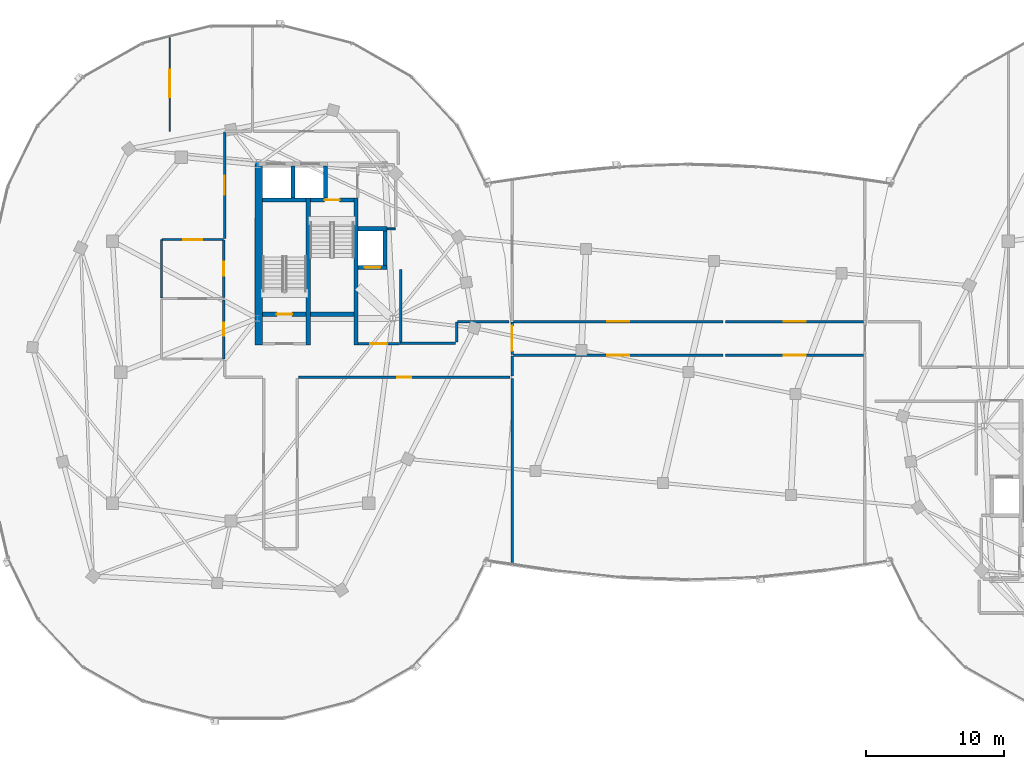
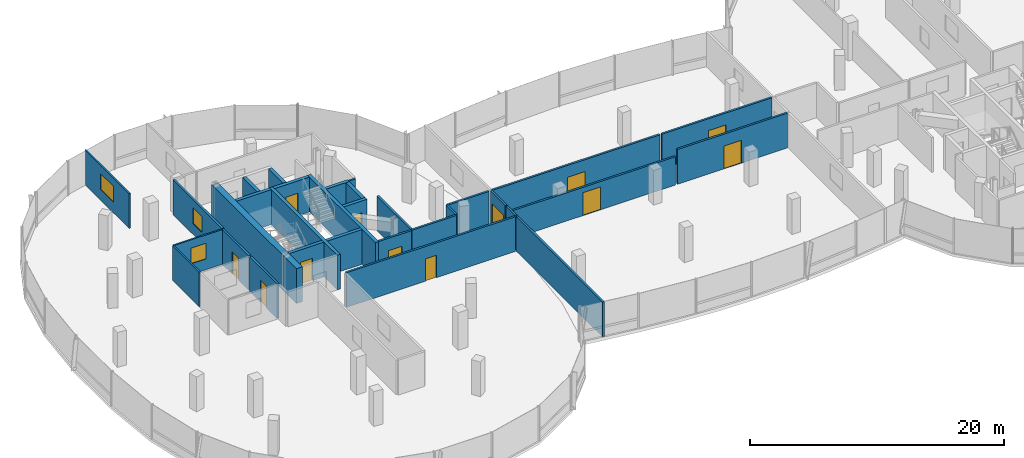
# One storey, part 14 of 25: 32 walls, 12 doors, 3 windows, 15 openings.
"""IFC4 building model written with IfcOpenShell, lengths in metres."""

from ifc_helpers import new_model, si_unit, direction, frame, frame_2d, origin, place, context, subcontext, project, spatial, rectangle, extrude, material, layer, layer_set, type_object, element, fill, save


model = new_model("IFC4")

# Units and contexts
model_context = context("Model", 3, precision=1e-05, world=origin(), true_north=direction((0.0, 1.0)))
body_context = subcontext(model_context, "Body", "Model", "MODEL_VIEW")
ifc_project = project(units=[si_unit("LENGTHUNIT", "METRE"), si_unit("AREAUNIT", "SQUARE_METRE"), si_unit("VOLUMEUNIT", "CUBIC_METRE"), si_unit("PLANEANGLEUNIT", "RADIAN"), si_unit("MASSUNIT", "GRAM", prefix="KILO"), si_unit("THERMODYNAMICTEMPERATUREUNIT", "KELVIN"), si_unit("POWERUNIT", "WATT")], contexts=[model_context])

# Site, building, storey
site_placement = place(None, origin())
site = spatial("IfcSite", under=ifc_project, at=site_placement, CompositionType="ELEMENT")
building_placement = place(site_placement, origin())
building = spatial("IfcBuilding", under=site, at=building_placement, Name="Cundina Bronze Exchange", CompositionType="ELEMENT")
storey_placement = place(building_placement, frame((0.0, 0.0, 272.0)))
storey = spatial("IfcBuildingStorey", under=building, at=storey_placement, Name="L72", CompositionType="ELEMENT", Elevation=272.0)

# Wall
ifc_material_1 = material(Name="Gypsum Fireboard Partition EI120")
ifc_layer_1 = layer(ifc_material_1, 0.179931640625, Name="Gypsum Fireboard Partition EI120")
ifc_layer_set_1 = layer_set([ifc_layer_1], Name="Gypsum Fireboard Partition EI120")
wall_type_1 = type_object("IfcWallType", Name="WL-COR-180", PredefinedType="PARTITIONING", material=ifc_layer_set_1)
wall_1_placement = place(storey_placement, frame((-20.889892578125, 2.14990234375, 0.0), z_axis=(0.0, 0.0, 1.0), x_axis=(0.0, 1.0, 0.0)))
element("IfcWall", 1, at=wall_1_placement, inside=storey, type_object=wall_type_1, Name="L72 W Firefighting Lobby Side Wall", PredefinedType="PARTITIONING", context=body_context, shape_type="SweptSolid", body=[
    extrude(rectangle(XDim=5.300048828125, YDim=0.179931640625, at=frame_2d((2.64990234375, 0.0))), origin(), (0.0, 0.0, 1.0), 3.340087890625),
])

# Wall, opening, door
wall_2_placement = place(storey_placement, frame((-23.97998046875, 2.06005859375, 0.0), z_axis=(0.0, 0.0, 1.0), x_axis=(1.0, 0.0, 0.0)))
wall_2 = element("IfcWall", 2, at=wall_2_placement, inside=storey, type_object=wall_type_1, Name="L72 W Firefighting Lobby Exit Wall", PredefinedType="PARTITIONING", context=body_context, shape_type="SweptSolid", body=[
    extrude(rectangle(XDim=3.0, YDim=0.179931640625, at=frame_2d((1.5, 0.0))), origin(), (0.0, 0.0, 1.0), 3.340087890625),
])
opening_1_placement = place(wall_2_placement, frame((0.89990234375, 0.0, 0.0)))
opening_1 = element("IfcOpeningElement", 3, at=opening_1_placement, cuts=wall_2, Name="Opening DF-01", PredefinedType="OPENING", context=body_context, shape_type="SweptSolid", body=[
    extrude(rectangle(XDim=1.199951171875, YDim=2.14990234375, at=frame_2d((0.60009765625, 1.074951171875))), frame((0.0, 0.099853515625, 0.0), z_axis=(0.0, -1.0, 0.0), x_axis=(1.0, 0.0, 0.0)), (0.0, 0.0, 1.0), 0.199951171875),
])
ifc_material_2 = material(Name="Steel ASTM A36 Painted", Category="steel")
door_type_1 = type_object("IfcDoorType", Name="DR-FFL-1200", OperationType="NOTDEFINED", PredefinedType="DOOR", material=ifc_material_2)
door_1_placement = place(opening_1_placement, origin())
door_1 = element("IfcDoor", 4, at=door_1_placement, inside=storey, type_object=door_type_1, Name="L72 W Firefighting Lobby Door", OperationType="SINGLE_SWING_RIGHT", OverallHeight=2.14990234375, OverallWidth=1.199951171875, PredefinedType="DOOR", context=body_context, shape_type="SweptSolid", body=[
    extrude(rectangle(XDim=1.199951171875, YDim=2.14990234375, at=frame_2d((0.60009765625, 1.074951171875))), frame((0.0, 0.02490234375, 0.0), z_axis=(0.0, -1.0, 0.0), x_axis=(1.0, 0.0, 0.0)), (0.0, 0.0, 1.0), 0.050048828125),
])
fill(opening_1, door_1)

wall_3_placement = place(storey_placement, frame((-33.719970703125, 0.969970703125, 0.0), z_axis=(0.0, 0.0, 1.0), x_axis=(0.0, 1.0, 0.0)))
wall_3 = element("IfcWall", 5, at=wall_3_placement, inside=storey, type_object=wall_type_1, Name="L72 Interior Partition 010", PredefinedType="PARTITIONING", context=body_context, shape_type="SweptSolid", body=[
    extrude(rectangle(XDim=4.260009765625, YDim=0.179931640625, at=frame_2d((2.1298828125, 0.0))), origin(), (0.0, 0.0, 1.0), 3.340087890625),
])
opening_2_placement = place(wall_3_placement, frame((1.655029296875, 0.0, 0.0)))
opening_2 = element("IfcOpeningElement", 6, at=opening_2_placement, cuts=wall_3, Name="Opening DW-01", PredefinedType="OPENING", context=body_context, shape_type="SweptSolid", body=[
    extrude(rectangle(XDim=0.949951171875, YDim=2.10009765625, at=frame_2d((0.47509765625, 1.050048828125))), frame((0.0, 0.099853515625, 0.0), z_axis=(0.0, -1.0, 0.0), x_axis=(1.0, 0.0, 0.0)), (0.0, 0.0, 1.0), 0.199951171875),
])
ifc_material_3 = material(Name="Solid Andean Oak Timber Grade A", Category="wood")
door_type_2 = type_object("IfcDoorType", Name="DR-WC-950", OperationType="NOTDEFINED", PredefinedType="DOOR", material=ifc_material_3)
door_2_placement = place(opening_2_placement, origin())
door_2 = element("IfcDoor", 7, at=door_2_placement, inside=storey, type_object=door_type_2, Name="L72 Interior Door 010", OperationType="SINGLE_SWING_LEFT", OverallHeight=2.10009765625, OverallWidth=0.949951171875, PredefinedType="DOOR", context=body_context, shape_type="SweptSolid", body=[
    extrude(rectangle(XDim=0.949951171875, YDim=2.10009765625, at=frame_2d((0.47509765625, 1.050048828125))), frame((0.0, 0.02490234375, 0.0), z_axis=(0.0, -1.0, 0.0), x_axis=(1.0, 0.0, 0.0)), (0.0, 0.0, 1.0), 0.050048828125),
])
fill(opening_2, door_2)

wall_4_placement = place(storey_placement, frame((-33.719970703125, 5.429931640625, 0.0), z_axis=(0.0, 0.0, 1.0), x_axis=(0.0, 1.0, 0.0)))
wall_4 = element("IfcWall", 8, at=wall_4_placement, inside=storey, type_object=wall_type_1, Name="L72 Interior Partition 011", PredefinedType="PARTITIONING", context=body_context, shape_type="SweptSolid", body=[
    extrude(rectangle(XDim=4.16015625, YDim=0.179931640625, at=frame_2d((2.080078125, 0.0))), origin(), (0.0, 0.0, 1.0), 3.340087890625),
])
opening_3_placement = place(wall_4_placement, frame((1.580078125, 0.0, 0.0)))
opening_3 = element("IfcOpeningElement", 9, at=opening_3_placement, cuts=wall_4, Name="Opening DO-01", PredefinedType="OPENING", context=body_context, shape_type="SweptSolid", body=[
    extrude(rectangle(XDim=1.0, YDim=2.14990234375, at=frame_2d((0.5, 1.074951171875))), frame((0.0, 0.099853515625, 0.0), z_axis=(0.0, -1.0, 0.0), x_axis=(1.0, 0.0, 0.0)), (0.0, 0.0, 1.0), 0.199951171875),
])
door_type_3 = type_object("IfcDoorType", Name="DR-OFF-1000", OperationType="NOTDEFINED", PredefinedType="DOOR", material=ifc_material_3)
door_3_placement = place(opening_3_placement, origin())
door_3 = element("IfcDoor", 10, at=door_3_placement, inside=storey, type_object=door_type_3, Name="L72 Interior Door 011", OperationType="SINGLE_SWING_LEFT", OverallHeight=2.14990234375, OverallWidth=1.0, PredefinedType="DOOR", context=body_context, shape_type="SweptSolid", body=[
    extrude(rectangle(XDim=1.0, YDim=2.14990234375, at=frame_2d((0.5, 1.074951171875))), frame((0.0, 0.02490234375, 0.0), z_axis=(0.0, -1.0, 0.0), x_axis=(1.0, 0.0, 0.0)), (0.0, 0.0, 1.0), 0.050048828125),
])
fill(opening_3, door_3)

wall_5_placement = place(storey_placement, frame((-28.300048828125, -0.3701171875, 0.0), z_axis=(0.0, 0.0, 1.0), x_axis=(1.0, 0.0, 0.0)))
wall_5 = element("IfcWall", 11, at=wall_5_placement, inside=storey, type_object=wall_type_1, Name="L72 Interior Partition 014", PredefinedType="PARTITIONING", context=body_context, shape_type="SweptSolid", body=[
    extrude(rectangle(XDim=15.34912109375, YDim=0.179931640625, at=frame_2d((7.674560546875, 0.0))), origin(), (0.0, 0.0, 1.0), 3.340087890625),
])
opening_4_placement = place(wall_5_placement, frame((7.174560546875, 0.0, 0.0)))
opening_4 = element("IfcOpeningElement", 12, at=opening_4_placement, cuts=wall_5, Name="Opening DO-01", PredefinedType="OPENING", context=body_context, shape_type="SweptSolid", body=[
    extrude(rectangle(XDim=1.0, YDim=2.14990234375, at=frame_2d((0.5, 1.074951171875))), frame((0.0, 0.099853515625, 0.0), z_axis=(0.0, -1.0, 0.0), x_axis=(1.0, 0.0, 0.0)), (0.0, 0.0, 1.0), 0.199951171875),
])
door_4_placement = place(opening_4_placement, origin())
door_4 = element("IfcDoor", 13, at=door_4_placement, inside=storey, type_object=door_type_3, Name="L72 Interior Door 014", OperationType="SINGLE_SWING_LEFT", OverallHeight=2.14990234375, OverallWidth=1.0, PredefinedType="DOOR", context=body_context, shape_type="SweptSolid", body=[
    extrude(rectangle(XDim=1.0, YDim=2.14990234375, at=frame_2d((0.5, 1.074951171875))), frame((0.0, 0.02490234375, 0.0), z_axis=(0.0, -1.0, 0.0), x_axis=(1.0, 0.0, 0.0)), (0.0, 0.0, 1.0), 0.050048828125),
])
fill(opening_4, door_4)

# Wall, opening, window
wall_6_placement = place(storey_placement, frame((-33.669921875, 17.428466796875, 0.0), z_axis=(0.0, 0.0, 1.0), x_axis=(0.0, -1.0, 0.0)))
wall_6 = element("IfcWall", 14, at=wall_6_placement, inside=storey, type_object=wall_type_1, Name="L72 Interior Partition 017", PredefinedType="PARTITIONING", context=body_context, shape_type="SweptSolid", body=[
    extrude(rectangle(XDim=7.72705078125, YDim=0.179931640625, at=frame_2d((3.863525390625, 0.0))), origin(), (0.0, 0.0, 1.0), 3.340087890625),
])
opening_5_placement = place(wall_6_placement, frame((3.1640625, 0.0, 1.050048828125)))
opening_5 = element("IfcOpeningElement", 15, at=opening_5_placement, cuts=wall_6, Name="Opening WI-02", PredefinedType="OPENING", context=body_context, shape_type="SweptSolid", body=[
    extrude(rectangle(XDim=1.39990234375, YDim=1.5, at=frame_2d((0.699951171875, 0.75))), frame((0.0, 0.099853515625, 0.0), z_axis=(0.0, -1.0, 0.0), x_axis=(1.0, 0.0, 0.0)), (0.0, 0.0, 1.0), 0.199951171875),
])
ifc_material_4 = material(Name="Clear Low-E Insulating Glass 26mm", Category="glass")
window_type_1 = type_object("IfcWindowType", Name="WN-INT-1400", PartitioningType="SINGLE_PANEL", PredefinedType="WINDOW", material=ifc_material_4)
window_1_placement = place(opening_5_placement, origin())
window_1 = element("IfcWindow", 16, at=window_1_placement, inside=storey, type_object=window_type_1, Name="L72 Interior Acoustic Vision Window 017", OverallHeight=1.5, OverallWidth=1.39990234375, PartitioningType="SINGLE_PANEL", PredefinedType="WINDOW", context=body_context, shape_type="SweptSolid", body=[
    extrude(rectangle(XDim=1.39990234375, YDim=1.5, at=frame_2d((0.699951171875, 0.75))), frame((0.0, 0.030029296875, 0.0), z_axis=(0.0, -1.0, 0.0), x_axis=(1.0, 0.0, 0.0)), (0.0, 0.0, 1.0), 0.06005859375),
])
fill(opening_5, window_1)

# Walls
wall_7_placement = place(storey_placement, frame((-16.89990234375, 2.10009765625, 0.0), z_axis=(0.0, 0.0, 1.0), x_axis=(-1.0, 0.0, 0.0)))
element("IfcWall", 17, at=wall_7_placement, inside=storey, type_object=wall_type_1, Name="L72 Interior Partition 023", PredefinedType="PARTITIONING", context=body_context, shape_type="SweptSolid", body=[
    extrude(rectangle(XDim=4.02001953125, YDim=0.179931640625, at=frame_2d((2.010009765625, 0.0))), origin(), (0.0, 0.0, 1.0), 3.340087890625),
])
wall_8_placement = place(storey_placement, frame((-13.025634765625, 3.669921875, 0.0), z_axis=(0.0, 0.0, 1.0), x_axis=(-1.0, 0.0, 0.0)))
element("IfcWall", 18, at=wall_8_placement, inside=storey, type_object=wall_type_1, Name="L72 Interior Partition 024", PredefinedType="PARTITIONING", context=body_context, shape_type="SweptSolid", body=[
    extrude(rectangle(XDim=3.7529296875, YDim=0.179931640625, at=frame_2d((1.87646484375, 0.0))), origin(), (0.0, 0.0, 1.0), 3.340087890625),
])
wall_9_placement = place(storey_placement, frame((-16.820068359375, 3.62841796875, 0.0), z_axis=(0.0, 0.0, 1.0), x_axis=(0.0, -1.0, 0.0)))
element("IfcWall", 19, at=wall_9_placement, inside=storey, type_object=wall_type_1, Name="L72 Interior Partition 026", PredefinedType="PARTITIONING", context=body_context, shape_type="SweptSolid", body=[
    extrude(rectangle(XDim=1.448486328125, YDim=0.179931640625, at=frame_2d((0.72412109375, 0.0))), origin(), (0.0, 0.0, 1.0), 3.340087890625),
])

# Wall, opening, door
wall_10_placement = place(storey_placement, frame((-12.6884765625, 1.22998046875, 0.0), z_axis=(0.0, 0.0, 1.0), x_axis=(1.0, 0.0, 0.0)))
wall_10 = element("IfcWall", 20, at=wall_10_placement, inside=storey, type_object=wall_type_1, Name="L72 Interior Partition 052", PredefinedType="PARTITIONING", context=body_context, shape_type="SweptSolid", body=[
    extrude(rectangle(XDim=15.193359375, YDim=0.179931640625, at=frame_2d((7.5966796875, 0.0))), origin(), (0.0, 0.0, 1.0), 2.712890625),
])
opening_6_placement = place(wall_10_placement, frame((6.796875, 0.0, 0.0)))
opening_6 = element("IfcOpeningElement", 21, at=opening_6_placement, cuts=wall_10, Name="Opening DO-02", PredefinedType="OPENING", context=body_context, shape_type="SweptSolid", body=[
    extrude(rectangle(XDim=1.60009765625, YDim=2.199951171875, at=frame_2d((0.800048828125, 1.10009765625))), frame((0.0, 0.099853515625, 0.0), z_axis=(0.0, -1.0, 0.0), x_axis=(1.0, 0.0, 0.0)), (0.0, 0.0, 1.0), 0.199951171875),
])
door_type_4 = type_object("IfcDoorType", Name="DR-TRD-1600", OperationType="NOTDEFINED", PredefinedType="DOOR", material=ifc_material_3)
door_5_placement = place(opening_6_placement, origin())
door_5 = element("IfcDoor", 22, at=door_5_placement, inside=storey, type_object=door_type_4, Name="L72 Interior Door 052", OperationType="SINGLE_SWING_RIGHT", OverallHeight=2.199951171875, OverallWidth=1.60009765625, PredefinedType="DOOR", context=body_context, shape_type="SweptSolid", body=[
    extrude(rectangle(XDim=1.60009765625, YDim=2.199951171875, at=frame_2d((0.800048828125, 1.10009765625))), frame((0.0, 0.02490234375, 0.0), z_axis=(0.0, -1.0, 0.0), x_axis=(1.0, 0.0, 0.0)), (0.0, 0.0, 1.0), 0.050048828125),
])
fill(opening_6, door_5)

wall_11_placement = place(storey_placement, frame((2.695068359375, 1.22998046875, 0.0), z_axis=(0.0, 0.0, 1.0), x_axis=(1.0, 0.0, 0.0)))
wall_11 = element("IfcWall", 23, at=wall_11_placement, inside=storey, type_object=wall_type_1, Name="L72 Interior Partition 053", PredefinedType="PARTITIONING", context=body_context, shape_type="SweptSolid", body=[
    extrude(rectangle(XDim=9.993408203125, YDim=0.179931640625, at=frame_2d((4.99658203125, 0.0))), origin(), (0.0, 0.0, 1.0), 3.340087890625),
])
opening_7_placement = place(wall_11_placement, frame((4.19677734375, 0.0, 0.0)))
opening_7 = element("IfcOpeningElement", 24, at=opening_7_placement, cuts=wall_11, Name="Opening DO-02", PredefinedType="OPENING", context=body_context, shape_type="SweptSolid", body=[
    extrude(rectangle(XDim=1.60009765625, YDim=2.199951171875, at=frame_2d((0.800048828125, 1.10009765625))), frame((0.0, 0.099853515625, 0.0), z_axis=(0.0, -1.0, 0.0), x_axis=(1.0, 0.0, 0.0)), (0.0, 0.0, 1.0), 0.199951171875),
])
door_6_placement = place(opening_7_placement, origin())
door_6 = element("IfcDoor", 25, at=door_6_placement, inside=storey, type_object=door_type_4, Name="L72 Interior Door 053", OperationType="SINGLE_SWING_RIGHT", OverallHeight=2.199951171875, OverallWidth=1.60009765625, PredefinedType="DOOR", context=body_context, shape_type="SweptSolid", body=[
    extrude(rectangle(XDim=1.60009765625, YDim=2.199951171875, at=frame_2d((0.800048828125, 1.10009765625))), frame((0.0, 0.02490234375, 0.0), z_axis=(0.0, -1.0, 0.0), x_axis=(1.0, 0.0, 0.0)), (0.0, 0.0, 1.0), 0.050048828125),
])
fill(opening_7, door_6)

wall_12_placement = place(storey_placement, frame((12.6884765625, 3.669921875, 0.0), z_axis=(0.0, 0.0, 1.0), x_axis=(-1.0, 0.0, 0.0)))
wall_12 = element("IfcWall", 26, at=wall_12_placement, inside=storey, type_object=wall_type_1, Name="L72 Interior Partition 054", PredefinedType="PARTITIONING", context=body_context, shape_type="SweptSolid", body=[
    extrude(rectangle(XDim=9.993408203125, YDim=0.179931640625, at=frame_2d((4.99658203125, 0.0))), origin(), (0.0, 0.0, 1.0), 3.340087890625),
])
opening_8_placement = place(wall_12_placement, frame((4.19677734375, 0.0, 0.0)))
opening_8 = element("IfcOpeningElement", 27, at=opening_8_placement, cuts=wall_12, Name="Opening DO-02", PredefinedType="OPENING", context=body_context, shape_type="SweptSolid", body=[
    extrude(rectangle(XDim=1.60009765625, YDim=2.199951171875, at=frame_2d((0.800048828125, 1.10009765625))), frame((0.0, 0.099853515625, 0.0), z_axis=(0.0, -1.0, 0.0), x_axis=(1.0, 0.0, 0.0)), (0.0, 0.0, 1.0), 0.199951171875),
])
door_7_placement = place(opening_8_placement, origin())
door_7 = element("IfcDoor", 28, at=door_7_placement, inside=storey, type_object=door_type_4, Name="L72 Interior Door 054", OperationType="SINGLE_SWING_LEFT", OverallHeight=2.199951171875, OverallWidth=1.60009765625, PredefinedType="DOOR", context=body_context, shape_type="SweptSolid", body=[
    extrude(rectangle(XDim=1.60009765625, YDim=2.199951171875, at=frame_2d((0.800048828125, 1.10009765625))), frame((0.0, 0.02490234375, 0.0), z_axis=(0.0, -1.0, 0.0), x_axis=(1.0, 0.0, 0.0)), (0.0, 0.0, 1.0), 0.050048828125),
])
fill(opening_8, door_7)

wall_13_placement = place(storey_placement, frame((2.5048828125, 3.669921875, 0.0), z_axis=(0.0, 0.0, 1.0), x_axis=(-1.0, 0.0, 0.0)))
wall_13 = element("IfcWall", 29, at=wall_13_placement, inside=storey, type_object=wall_type_1, Name="L72 Interior Partition 055", PredefinedType="PARTITIONING", context=body_context, shape_type="SweptSolid", body=[
    extrude(rectangle(XDim=15.193359375, YDim=0.179931640625, at=frame_2d((7.5966796875, 0.0))), origin(), (0.0, 0.0, 1.0), 3.340087890625),
])
opening_9_placement = place(wall_13_placement, frame((6.796875, 0.0, 0.0)))
opening_9 = element("IfcOpeningElement", 30, at=opening_9_placement, cuts=wall_13, Name="Opening DO-02", PredefinedType="OPENING", context=body_context, shape_type="SweptSolid", body=[
    extrude(rectangle(XDim=1.60009765625, YDim=2.199951171875, at=frame_2d((0.800048828125, 1.10009765625))), frame((0.0, 0.099853515625, 0.0), z_axis=(0.0, -1.0, 0.0), x_axis=(1.0, 0.0, 0.0)), (0.0, 0.0, 1.0), 0.199951171875),
])
door_8_placement = place(opening_9_placement, origin())
door_8 = element("IfcDoor", 31, at=door_8_placement, inside=storey, type_object=door_type_4, Name="L72 Interior Door 055", OperationType="SINGLE_SWING_LEFT", OverallHeight=2.199951171875, OverallWidth=1.60009765625, PredefinedType="DOOR", context=body_context, shape_type="SweptSolid", body=[
    extrude(rectangle(XDim=1.60009765625, YDim=2.199951171875, at=frame_2d((0.800048828125, 1.10009765625))), frame((0.0, 0.02490234375, 0.0), z_axis=(0.0, -1.0, 0.0), x_axis=(1.0, 0.0, 0.0)), (0.0, 0.0, 1.0), 0.050048828125),
])
fill(opening_9, door_8)

# Walls
wall_14_placement = place(storey_placement, frame((-12.800048828125, -14.043701171875, 0.0), z_axis=(0.0, 0.0, 1.0), x_axis=(0.0, 1.0, 0.0)))
element("IfcWall", 32, at=wall_14_placement, inside=storey, type_object=wall_type_1, Name="L72 Interior Partition 056", PredefinedType="PARTITIONING", context=body_context, shape_type="SweptSolid", body=[
    extrude(rectangle(XDim=13.588623046875, YDim=0.179931640625, at=frame_2d((6.79443359375, 0.0))), origin(), (0.0, 0.0, 1.0), 3.340087890625),
])
wall_15_placement = place(storey_placement, frame((-12.800048828125, -0.284912109375, 0.0), z_axis=(0.0, 0.0, 1.0), x_axis=(0.0, 1.0, 0.0)))
element("IfcWall", 33, at=wall_15_placement, inside=storey, type_object=wall_type_1, Name="L72 Interior Partition 057", PredefinedType="PARTITIONING", context=body_context, shape_type="SweptSolid", body=[
    extrude(rectangle(XDim=1.44482421875, YDim=0.179931640625, at=frame_2d((0.722412109375, 0.0))), origin(), (0.0, 0.0, 1.0), 3.340087890625),
])

# Wall, opening, door
wall_16_placement = place(storey_placement, frame((-12.800048828125, 1.280029296875, 0.0), z_axis=(0.0, 0.0, 1.0), x_axis=(0.0, 1.0, 0.0)))
wall_16 = element("IfcWall", 34, at=wall_16_placement, inside=storey, type_object=wall_type_1, Name="L72 Interior Partition 059", PredefinedType="PARTITIONING", context=body_context, shape_type="SweptSolid", body=[
    extrude(rectangle(XDim=2.340087890625, YDim=0.179931640625, at=frame_2d((1.169921875, 0.0))), origin(), (0.0, 0.0, 1.0), 3.340087890625),
])
opening_10_placement = place(wall_16_placement, frame((0.27001953125, 0.0, 0.0)))
opening_10 = element("IfcOpeningElement", 35, at=opening_10_placement, cuts=wall_16, Name="Opening DB-01", PredefinedType="OPENING", context=body_context, shape_type="SweptSolid", body=[
    extrude(rectangle(XDim=1.800048828125, YDim=2.25, at=frame_2d((0.89990234375, 1.125))), frame((0.0, 0.099853515625, 0.0), z_axis=(0.0, -1.0, 0.0), x_axis=(1.0, 0.0, 0.0)), (0.0, 0.0, 1.0), 0.199951171875),
])
door_type_5 = type_object("IfcDoorType", Name="DR-BRG-1800", OperationType="NOTDEFINED", PredefinedType="DOOR", material=ifc_material_2)
door_9_placement = place(opening_10_placement, origin())
door_9 = element("IfcDoor", 36, at=door_9_placement, inside=storey, type_object=door_type_5, Name="L72 Interior Door 059", OperationType="DOUBLE_DOOR_SINGLE_SWING", OverallHeight=2.25, OverallWidth=1.800048828125, PredefinedType="DOOR", context=body_context, shape_type="SweptSolid", body=[
    extrude(rectangle(XDim=1.800048828125, YDim=2.25, at=frame_2d((0.89990234375, 1.125))), frame((0.0, 0.02490234375, 0.0), z_axis=(0.0, -1.0, 0.0), x_axis=(1.0, 0.0, 0.0)), (0.0, 0.0, 1.0), 0.050048828125),
])
fill(opening_10, door_9)

# Wall
ifc_material_5 = material(Name="Concrete C50/60", Category="concrete")
ifc_layer_2 = layer(ifc_material_5, 0.550048828125, Name="Concrete C50/60", Category="concrete")
ifc_layer_set_2 = layer_set([ifc_layer_2], Name="Concrete C50/60")
wall_type_2 = type_object("IfcWallType", Name="WL-CORE-550", PredefinedType="SHEAR", material=ifc_layer_set_2)
wall_17_placement = place(storey_placement, frame((-31.175048828125, 1.969970703125, 0.0), z_axis=(0.0, 0.0, 1.0), x_axis=(0.0, 1.0, 0.0)))
element("IfcWall", 37, at=wall_17_placement, inside=storey, type_object=wall_type_2, Name="L72 W Primary Core Shear Spine Wall", PredefinedType="SHEAR", context=body_context, shape_type="SweptSolid", body=[
    extrude(rectangle(XDim=13.330078125, YDim=0.550048828125, at=frame_2d((6.6650390625, 0.0))), origin(), (0.0, 0.0, 1.0), 3.340087890625),
])

# Wall, opening, window
ifc_material_6 = material(Name="Gypsum Acoustic Partition EI60")
ifc_layer_3 = layer(ifc_material_6, 0.125, Name="Gypsum Acoustic Partition EI60")
ifc_layer_set_3 = layer_set([ifc_layer_3], Name="Gypsum Acoustic Partition EI60")
wall_type_3 = type_object("IfcWallType", Name="WL-OFF-125", PredefinedType="PARTITIONING", material=ifc_layer_set_3)
wall_18_placement = place(storey_placement, frame((-37.639892578125, 17.469970703125, 0.0), z_axis=(0.0, 0.0, 1.0), x_axis=(0.0, 1.0, 0.0)))
wall_18 = element("IfcWall", 38, at=wall_18_placement, inside=storey, type_object=wall_type_3, Name="L72 Interior Partition 012", PredefinedType="PARTITIONING", context=body_context, shape_type="SweptSolid", body=[
    extrude(rectangle(XDim=6.9609375, YDim=0.125, at=frame_2d((3.48046875, 0.0))), origin(), (0.0, 0.0, 1.0), 3.340087890625),
])
opening_11_placement = place(wall_18_placement, frame((2.47998046875, 0.0, 1.050048828125)))
opening_11 = element("IfcOpeningElement", 39, at=opening_11_placement, cuts=wall_18, Name="Opening WI-01", PredefinedType="OPENING", context=body_context, shape_type="SweptSolid", body=[
    extrude(rectangle(XDim=2.0, YDim=1.5, at=frame_2d((1.0, 0.75))), frame((0.0, 0.072509765625, 0.0), z_axis=(0.0, -1.0, 0.0), x_axis=(1.0, 0.0, 0.0)), (0.0, 0.0, 1.0), 0.14501953125),
])
window_type_2 = type_object("IfcWindowType", Name="WN-INT-2000", PartitioningType="SINGLE_PANEL", PredefinedType="WINDOW", material=ifc_material_4)
window_2_placement = place(opening_11_placement, origin())
window_2 = element("IfcWindow", 40, at=window_2_placement, inside=storey, type_object=window_type_2, Name="L72 Interior Acoustic Vision Window 012", OverallHeight=1.5, OverallWidth=2.0, PartitioningType="SINGLE_PANEL", PredefinedType="WINDOW", context=body_context, shape_type="SweptSolid", body=[
    extrude(rectangle(XDim=2.0, YDim=1.5, at=frame_2d((1.0, 0.75))), frame((0.0, 0.030029296875, 0.0), z_axis=(0.0, -1.0, 0.0), x_axis=(1.0, 0.0, 0.0)), (0.0, 0.0, 1.0), 0.06005859375),
])
fill(opening_11, window_2)

# Walls
ifc_layer_4 = layer(ifc_material_5, 0.300048828125, Name="Concrete C50/60", Category="concrete")
ifc_layer_set_4 = layer_set([ifc_layer_4], Name="Concrete C50/60")
wall_type_4 = type_object("IfcWallType", Name="WL-SHFT-300", PredefinedType="SHEAR", material=ifc_layer_set_4)
for number, where, z_axis, x_axis, name in (
    (41, (-27.590087890625, 1.969970703125, 0.0), (0.0, 0.0, 1.0), (0.0, 1.0, 0.0), "L72 W Stair Shaft Dividing Shear Wall"),
    (42, (-24.1298828125, 1.969970703125, 0.0), (0.0, 0.0, 1.0), (0.0, 1.0, 0.0), "L72 W Stair 2 East Shear Wall"),
):
    element("IfcWall", number, at=place(storey_placement, frame(where, z_axis=z_axis, x_axis=x_axis)), inside=storey, type_object=wall_type_4, Name=name, PredefinedType="SHEAR", context=body_context, shape_type="SweptSolid", body=[
        extrude(rectangle(XDim=10.679931640625, YDim=0.300048828125, at=frame_2d((5.33984375, 0.0))), origin(), (0.0, 0.0, 1.0), 3.340087890625),
    ])

# Wall, opening, door
wall_19_placement = place(storey_placement, frame((-30.89990234375, 4.199951171875, 0.0), z_axis=(0.0, 0.0, 1.0), x_axis=(1.0, 0.0, 0.0)))
wall_19 = element("IfcWall", 43, at=wall_19_placement, inside=storey, type_object=wall_type_4, Name="L72 Stair W1 Landing Wall", PredefinedType="SHEAR", context=body_context, shape_type="SweptSolid", body=[
    extrude(rectangle(XDim=3.159912109375, YDim=0.300048828125, at=frame_2d((1.580078125, 0.0))), origin(), (0.0, 0.0, 1.0), 3.340087890625),
])
opening_12_placement = place(wall_19_placement, frame((1.030029296875, 0.0, 0.0)))
opening_12 = element("IfcOpeningElement", 44, at=opening_12_placement, cuts=wall_19, Name="Opening DS-01", PredefinedType="OPENING", context=body_context, shape_type="SweptSolid", body=[
    extrude(rectangle(XDim=1.10009765625, YDim=2.14990234375, at=frame_2d((0.550048828125, 1.074951171875))), frame((0.0, 0.159912109375, 0.0), z_axis=(0.0, -1.0, 0.0), x_axis=(1.0, 0.0, 0.0)), (0.0, 0.0, 1.0), 0.320068359375),
])
door_type_6 = type_object("IfcDoorType", Name="DR-STR-1100", OperationType="NOTDEFINED", PredefinedType="DOOR", material=ifc_material_2)
door_10_placement = place(opening_12_placement, origin())
door_10 = element("IfcDoor", 45, at=door_10_placement, inside=storey, type_object=door_type_6, Name="L72 Smokeproof Stair W1 Door", OperationType="SINGLE_SWING_RIGHT", OverallHeight=2.14990234375, OverallWidth=1.10009765625, PredefinedType="DOOR", context=body_context, shape_type="SweptSolid", body=[
    extrude(rectangle(XDim=1.10009765625, YDim=2.14990234375, at=frame_2d((0.550048828125, 1.074951171875))), frame((0.0, 0.02490234375, 0.0), z_axis=(0.0, -1.0, 0.0), x_axis=(1.0, 0.0, 0.0)), (0.0, 0.0, 1.0), 0.050048828125),
])
fill(opening_12, door_10)

# Wall
wall_20_placement = place(storey_placement, frame((-30.89990234375, 12.5, 0.0), z_axis=(0.0, 0.0, 1.0), x_axis=(1.0, 0.0, 0.0)))
element("IfcWall", 46, at=wall_20_placement, inside=storey, type_object=wall_type_4, Name="L72 Stair W1 Far Shaft Wall", PredefinedType="SHEAR", context=body_context, shape_type="SweptSolid", body=[
    extrude(rectangle(XDim=3.159912109375, YDim=0.300048828125, at=frame_2d((1.580078125, 0.0))), origin(), (0.0, 0.0, 1.0), 3.340087890625),
])

# Wall, opening, door
wall_21_placement = place(storey_placement, frame((-27.43994140625, 12.5, 0.0), z_axis=(0.0, 0.0, 1.0), x_axis=(1.0, 0.0, 0.0)))
wall_21 = element("IfcWall", 47, at=wall_21_placement, inside=storey, type_object=wall_type_4, Name="L72 Stair W2 Landing Wall", PredefinedType="SHEAR", context=body_context, shape_type="SweptSolid", body=[
    extrude(rectangle(XDim=3.159912109375, YDim=0.300048828125, at=frame_2d((1.580078125, 0.0))), origin(), (0.0, 0.0, 1.0), 3.340087890625),
])
opening_13_placement = place(wall_21_placement, frame((1.030029296875, 0.0, 0.0)))
opening_13 = element("IfcOpeningElement", 48, at=opening_13_placement, cuts=wall_21, Name="Opening DS-01", PredefinedType="OPENING", context=body_context, shape_type="SweptSolid", body=[
    extrude(rectangle(XDim=1.10009765625, YDim=2.14990234375, at=frame_2d((0.550048828125, 1.074951171875))), frame((0.0, 0.159912109375, 0.0), z_axis=(0.0, -1.0, 0.0), x_axis=(1.0, 0.0, 0.0)), (0.0, 0.0, 1.0), 0.320068359375),
])
door_11_placement = place(opening_13_placement, origin())
door_11 = element("IfcDoor", 49, at=door_11_placement, inside=storey, type_object=door_type_6, Name="L72 Smokeproof Stair W2 Door", OperationType="SINGLE_SWING_LEFT", OverallHeight=2.14990234375, OverallWidth=1.10009765625, PredefinedType="DOOR", context=body_context, shape_type="SweptSolid", body=[
    extrude(rectangle(XDim=1.10009765625, YDim=2.14990234375, at=frame_2d((0.550048828125, 1.074951171875))), frame((0.0, 0.02490234375, 0.0), z_axis=(0.0, -1.0, 0.0), x_axis=(1.0, 0.0, 0.0)), (0.0, 0.0, 1.0), 0.050048828125),
])
fill(opening_13, door_11)

# Wall
wall_22_placement = place(storey_placement, frame((-27.43994140625, 4.199951171875, 0.0), z_axis=(0.0, 0.0, 1.0), x_axis=(1.0, 0.0, 0.0)))
element("IfcWall", 50, at=wall_22_placement, inside=storey, type_object=wall_type_4, Name="L72 Stair W2 Far Shaft Wall", PredefinedType="SHEAR", context=body_context, shape_type="SweptSolid", body=[
    extrude(rectangle(XDim=3.159912109375, YDim=0.300048828125, at=frame_2d((1.580078125, 0.0))), origin(), (0.0, 0.0, 1.0), 3.340087890625),
])

# Wall, opening, door
wall_23_placement = place(storey_placement, frame((-23.97998046875, 7.60009765625, 0.0), z_axis=(0.0, 0.0, 1.0), x_axis=(1.0, 0.0, 0.0)))
wall_23 = element("IfcWall", 51, at=wall_23_placement, inside=storey, type_object=wall_type_4, Name="L72 FFL-W Hoistway Front Wall", PredefinedType="SHEAR", context=body_context, shape_type="SweptSolid", body=[
    extrude(rectangle(XDim=2.10009765625, YDim=0.300048828125, at=frame_2d((1.050048828125, 0.0))), origin(), (0.0, 0.0, 1.0), 3.340087890625),
])
opening_14_placement = place(wall_23_placement, frame((0.47509765625, 0.0, 0.0)))
opening_14 = element("IfcOpeningElement", 52, at=opening_14_placement, cuts=wall_23, Name="Opening LD-01", PredefinedType="OPENING", context=body_context, shape_type="SweptSolid", body=[
    extrude(rectangle(XDim=1.14990234375, YDim=2.199951171875, at=frame_2d((0.574951171875, 1.10009765625))), frame((0.0, 0.159912109375, 0.0), z_axis=(0.0, -1.0, 0.0), x_axis=(1.0, 0.0, 0.0)), (0.0, 0.0, 1.0), 0.320068359375),
])
door_type_7 = type_object("IfcDoorType", Name="DR-LND-1150", OperationType="NOTDEFINED", PredefinedType="TRAPDOOR", material=ifc_material_2)
door_12_placement = place(opening_14_placement, origin())
door_12 = element("IfcDoor", 53, at=door_12_placement, inside=storey, type_object=door_type_7, Name="L72 FFL-W Sliding Landing Door", OperationType="SLIDING_TO_LEFT", OverallHeight=2.199951171875, OverallWidth=1.14990234375, PredefinedType="TRAPDOOR", context=body_context, shape_type="SweptSolid", body=[
    extrude(rectangle(XDim=1.14990234375, YDim=2.199951171875, at=frame_2d((0.574951171875, 1.10009765625))), frame((0.0, 0.02490234375, 0.0), z_axis=(0.0, -1.0, 0.0), x_axis=(1.0, 0.0, 0.0)), (0.0, 0.0, 1.0), 0.050048828125),
])
fill(opening_14, door_12)

# Walls
wall_24_placement = place(storey_placement, frame((-23.97998046875, 10.39990234375, 0.0), z_axis=(0.0, 0.0, 1.0), x_axis=(1.0, 0.0, 0.0)))
element("IfcWall", 54, at=wall_24_placement, inside=storey, type_object=wall_type_4, Name="L72 FFL-W Hoistway Back Wall", PredefinedType="SHEAR", context=body_context, shape_type="SweptSolid", body=[
    extrude(rectangle(XDim=2.10009765625, YDim=0.300048828125, at=frame_2d((1.050048828125, 0.0))), origin(), (0.0, 0.0, 1.0), 3.340087890625),
])
wall_25_placement = place(storey_placement, frame((-22.030029296875, 7.75, 0.0), z_axis=(0.0, 0.0, 1.0), x_axis=(0.0, 1.0, 0.0)))
element("IfcWall", 55, at=wall_25_placement, inside=storey, type_object=wall_type_4, Name="L72 FFL-W Hoistway Side Wall", PredefinedType="SHEAR", context=body_context, shape_type="SweptSolid", body=[
    extrude(rectangle(XDim=2.5, YDim=0.300048828125, at=frame_2d((1.25, 0.0))), origin(), (0.0, 0.0, 1.0), 3.340087890625),
])
for number, where, z_axis, x_axis, name in (
    (56, (-28.699951171875, 12.64990234375, 0.0), (0.0, 0.0, 1.0), (0.0, 1.0, 0.0), "L72 PH-W1 Hoistway Divider Wall"),
    (57, (-26.35009765625, 12.64990234375, 0.0), (0.0, 0.0, 1.0), (0.0, 1.0, 0.0), "L72 PH-W2 Hoistway Divider Wall"),
):
    element("IfcWall", number, at=place(storey_placement, frame(where, z_axis=z_axis, x_axis=x_axis)), inside=storey, type_object=wall_type_4, Name=name, PredefinedType="SHEAR", context=body_context, shape_type="SweptSolid", body=[
        extrude(rectangle(XDim=2.300048828125, YDim=0.300048828125, at=frame_2d((1.14990234375, 0.0))), origin(), (0.0, 0.0, 1.0), 3.340087890625),
    ])
ifc_material_7 = material(Name="Moisture-Resistant Masonry Block Grade M15", Category="masonry")
ifc_layer_5 = layer(ifc_material_7, 0.139892578125, Name="Moisture-Resistant Masonry Block Grade M15", Category="masonry")
ifc_layer_set_5 = layer_set([ifc_layer_5], Name="Moisture-Resistant Masonry Block Grade M15")
wall_type_5 = type_object("IfcWallType", Name="WL-WET-140", PredefinedType="PARTITIONING", material=ifc_layer_set_5)
wall_26_placement = place(storey_placement, frame((-21.860107421875, 10.39990234375, 0.0), z_axis=(0.0, 0.0, 1.0), x_axis=(1.0, 0.0, 0.0)))
element("IfcWall", 58, at=wall_26_placement, inside=storey, type_object=wall_type_5, Name="L72 Interior Partition 001", PredefinedType="PARTITIONING", context=body_context, shape_type="SweptSolid", body=[
    extrude(rectangle(XDim=0.590087890625, YDim=0.139892578125, at=frame_2d((0.294921875, 0.0))), origin(), (0.0, 0.0, 1.0), 3.340087890625),
])
wall_27_placement = place(storey_placement, frame((-38.239990234375, 5.4150390625, 0.0), z_axis=(0.0, 0.0, 1.0), x_axis=(0.0, 1.0, 0.0)))
element("IfcWall", 59, at=wall_27_placement, inside=storey, type_object=wall_type_5, Name="L72 Interior Partition 006", PredefinedType="PARTITIONING", context=body_context, shape_type="SweptSolid", body=[
    extrude(rectangle(XDim=4.175048828125, YDim=0.139892578125, at=frame_2d((2.08740234375, 0.0))), origin(), (0.0, 0.0, 1.0), 3.340087890625),
])

# Wall, opening, window
wall_28_placement = place(storey_placement, frame((-38.219970703125, 9.610107421875, 0.0), z_axis=(0.0, 0.0, 1.0), x_axis=(1.0, 0.0, 0.0)))
wall_28 = element("IfcWall", 60, at=wall_28_placement, inside=storey, type_object=wall_type_5, Name="L72 Interior Partition 009", PredefinedType="PARTITIONING", context=body_context, shape_type="SweptSolid", body=[
    extrude(rectangle(XDim=4.47998046875, YDim=0.139892578125, at=frame_2d((2.239990234375, 0.0))), origin(), (0.0, 0.0, 1.0), 3.340087890625),
])
opening_15_placement = place(wall_28_placement, frame((1.5400390625, 0.0, 1.050048828125)))
opening_15 = element("IfcOpeningElement", 61, at=opening_15_placement, cuts=wall_28, Name="Opening WI-02", PredefinedType="OPENING", context=body_context, shape_type="SweptSolid", body=[
    extrude(rectangle(XDim=1.39990234375, YDim=1.5, at=frame_2d((0.699951171875, 0.75))), frame((0.0, 0.079833984375, 0.0), z_axis=(0.0, -1.0, 0.0), x_axis=(1.0, 0.0, 0.0)), (0.0, 0.0, 1.0), 0.159912109375),
])
window_3_placement = place(opening_15_placement, origin())
window_3 = element("IfcWindow", 62, at=window_3_placement, inside=storey, type_object=window_type_1, Name="L72 Interior Acoustic Vision Window 009", OverallHeight=1.5, OverallWidth=1.39990234375, PartitioningType="SINGLE_PANEL", PredefinedType="WINDOW", context=body_context, shape_type="SweptSolid", body=[
    extrude(rectangle(XDim=1.39990234375, YDim=1.5, at=frame_2d((0.699951171875, 0.75))), frame((0.0, 0.030029296875, 0.0), z_axis=(0.0, -1.0, 0.0), x_axis=(1.0, 0.0, 0.0)), (0.0, 0.0, 1.0), 0.06005859375),
])
fill(opening_15, window_3)

save(model, "model.ifc")
